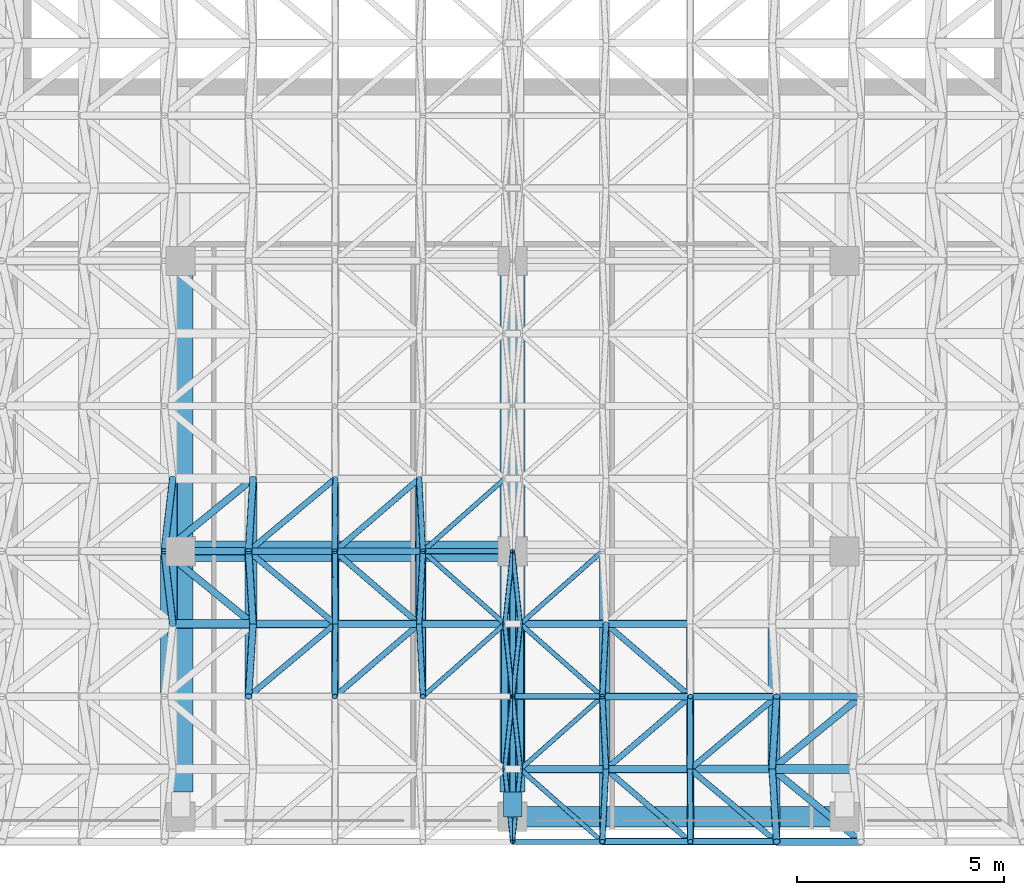
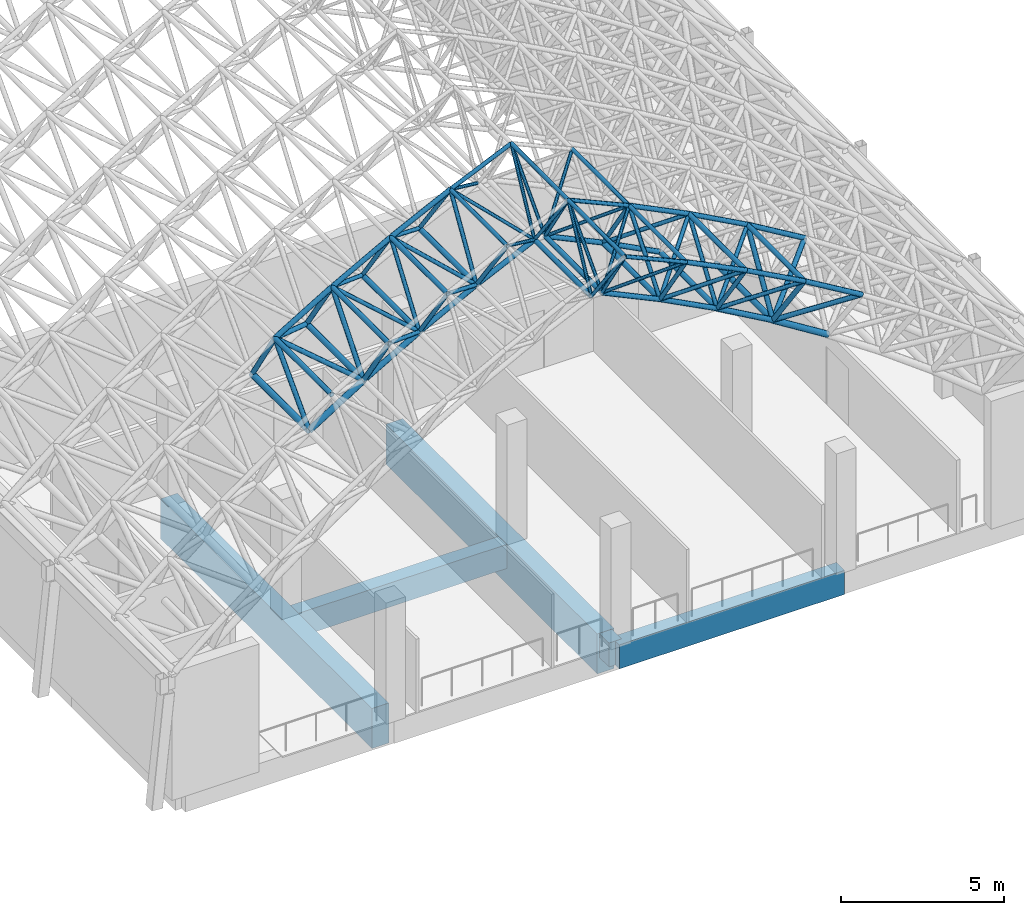
# One storey, part 40 of 141: 89 members, 5 beams.
"""IFC4 building model written with IfcOpenShell, lengths in metres."""

from ifc_helpers import new_model, si_unit, direction, frame, origin, origin_2d, place, context, subcontext, project, spatial, rectangle, hollow_circle, extrude, material, material_profile, profile_set, type_object, element, save


model = new_model("IFC4")

# Units and contexts
model_context = context("Model", 3, precision=1e-05, world=origin(), true_north=direction((0.0, 1.0)))
body_context = subcontext(model_context, "Body", "Model", "MODEL_VIEW")
ifc_project = project(units=[si_unit("LENGTHUNIT", "METRE"), si_unit("AREAUNIT", "SQUARE_METRE"), si_unit("VOLUMEUNIT", "CUBIC_METRE"), si_unit("PLANEANGLEUNIT", "RADIAN"), si_unit("MASSUNIT", "GRAM", prefix="KILO")], contexts=[model_context])

# Site, building, storey
site_placement = place(None, origin())
site = spatial("IfcSite", under=ifc_project, at=site_placement, CompositionType="ELEMENT")
building_placement = place(site_placement, origin())
building = spatial("IfcBuilding", under=site, at=building_placement, Name="Lantern Court Media Centre", CompositionType="ELEMENT")
storey_placement = place(building_placement, frame((0.0, 0.0, 9.60009765625)))
storey = spatial("IfcBuildingStorey", under=building, at=storey_placement, Name="L02", CompositionType="ELEMENT", Elevation=9.60009765625)

# Beams
ifc_material_1 = material(Name="Concrete C35", Category="concrete")
ifc_material_profile_1 = material_profile(ifc_material_1, rectangle(XDim=0.449951171875, YDim=0.89990234375, at=origin_2d()), Name="RC 450x900")
ifc_profile_set_1 = profile_set([ifc_material_profile_1], Name="Concrete C35")
beam_type_1 = type_object("IfcBeamType", Name="RC BEAM 450x900", PredefinedType="BEAM", material=ifc_profile_set_1)
beam_placement = place(storey_placement, frame((88.0, -1.39990234375, -0.4501953125), z_axis=(0.0, 1.0, 0.0), x_axis=(-1.0, 0.0, 0.0)))
element("IfcBeam", 1, at=beam_placement, inside=storey, type_object=beam_type_1, Name="HB-V2-L02-FY2-0", PredefinedType="BEAM", context=body_context, shape_type="SweptSolid", body=[
    extrude(rectangle(XDim=0.449951171875, YDim=0.89990234375, at=origin_2d()), origin(), (0.0, 0.0, 1.0), 0.599853515625),
])
ifc_material_profile_2 = material_profile(ifc_material_1, rectangle(XDim=0.5, YDim=0.89990234375, at=origin_2d()), Name="RC 500x900")
ifc_profile_set_2 = profile_set([ifc_material_profile_2], Name="Concrete C35")
beam_type_2 = type_object("IfcBeamType", Name="RC BEAM 500x900", PredefinedType="BEAM", material=ifc_profile_set_2)
for number, where, z_axis, x_axis, name in (
    (2, (88.0, -1.39990234375, -0.4501953125), (1.0, 0.0, 0.0), (0.0, 1.0, 0.0), "HB-V2-L02-FX0-2"),
    (3, (80.0, 5.0, -0.4501953125), (1.0, 0.0, 0.0), (0.0, 1.0, 0.0), "HB-V2-L02-FX1-1"),
):
    element("IfcBeam", number, at=place(storey_placement, frame(where, z_axis=z_axis, x_axis=x_axis)), inside=storey, type_object=beam_type_2, Name=name, PredefinedType="BEAM", context=body_context, shape_type="SweptSolid", body=[
        extrude(rectangle(XDim=0.5, YDim=0.89990234375, at=origin_2d()), origin(), (0.0, 0.0, 1.0), 8.0),
    ])
ifc_material_profile_3 = material_profile(ifc_material_1, rectangle(XDim=0.60009765625, YDim=1.5, at=origin_2d()), Name="RC 600x1500")
ifc_profile_set_3 = profile_set([ifc_material_profile_3], Name="Concrete C35")
beam_type_3 = type_object("IfcBeamType", Name="RC BEAM 600x1500", PredefinedType="BEAM", material=ifc_profile_set_3)
for number, where, z_axis, x_axis, name in (
    (4, (80.0, -0.800048828125, -0.75), (0.0, 1.0, 0.0), (-1.0, 0.0, 0.0), "TR-V2-L02-11"),
    (5, (88.0, -0.800048828125, -0.75), (0.0, 1.0, 0.0), (-1.0, 0.0, 0.0), "TR-V2-L02-21"),
):
    element("IfcBeam", number, at=place(storey_placement, frame(where, z_axis=z_axis, x_axis=x_axis)), inside=storey, type_object=beam_type_3, Name=name, PredefinedType="BEAM", context=body_context, shape_type="SweptSolid", body=[
        extrude(rectangle(XDim=0.60009765625, YDim=1.5, at=origin_2d()), origin(), (0.0, 0.0, 1.0), 13.0),
    ])

# Members
ifc_material_2 = material(Name="Steel S355J2 (EN 10025-2)", Category="steel")
ifc_material_profile_4 = material_profile(ifc_material_2, hollow_circle(Radius=0.084228515625, WallThickness=0.00634765625, at=origin_2d()), Name="Studio Hall bottom CHS 168.3x6.3")
ifc_profile_set_4 = profile_set([ifc_material_profile_4], Name="Steel S355J2 (EN 10025-2)")
member_type_1 = type_object("IfcMemberType", Name="Studio Hall bottom CHS 168.3x6.3", PredefinedType="CHORD", material=ifc_profile_set_4)
for number, where, z_axis, x_axis, name in (
    (6, (87.812255859375, -0.25, 12.31884765625), (0.0, 1.0, 0.0), (-1.0, 0.0, 0.0), "Studio Hall bottom chord 08-01"),
    (7, (88.187744140625, -0.25, 12.31884765625), (0.0, 1.0, 0.0), (-1.0, 0.0, 0.0), "Studio Hall bottom chord 09-01"),
):
    element("IfcMember", number, at=place(storey_placement, frame(where, z_axis=z_axis, x_axis=x_axis)), inside=storey, type_object=member_type_1, Name=name, PredefinedType="CHORD", context=body_context, shape_type="SweptSolid", body=[
        extrude(hollow_circle(Radius=0.084228515625, WallThickness=0.00634765625, at=origin_2d()), origin(), (0.0, 0.0, 1.0), 3.5),
    ])
ifc_material_profile_5 = material_profile(ifc_material_2, hollow_circle(Radius=0.0888671875, WallThickness=0.008056640625, at=origin_2d()), Name="Studio Hall bottom CHS 177.8x8")
ifc_profile_set_5 = profile_set([ifc_material_profile_5], Name="Steel S355J2 (EN 10025-2)")
member_type_2 = type_object("IfcMemberType", Name="Studio Hall bottom CHS 177.8x8", PredefinedType="CHORD", material=ifc_profile_set_5)
for number, where, z_axis, x_axis, name in (
    (8, (90.251708984375, -0.25, 11.3466796875), (0.0, 1.0, 0.0), (-1.0, 0.0, 0.0), "Studio Hall bottom chord 10-01"),
    (9, (92.275634765625, -0.25, 10.2939453125), (0.0, 1.0, 0.0), (-1.0, 0.0, 0.0), "Studio Hall bottom chord 11-01"),
    (10, (83.724365234375, 3.25, 10.2939453125), (0.0, 1.0, 0.0), (-1.0, 0.0, 0.0), "Studio Hall bottom chord 06-02"),
    (11, (85.748291015625, 3.25, 11.3466796875), (0.0, 1.0, 0.0), (-1.0, 0.0, 0.0), "Studio Hall bottom chord 07-02"),
):
    element("IfcMember", number, at=place(storey_placement, frame(where, z_axis=z_axis, x_axis=x_axis)), inside=storey, type_object=member_type_2, Name=name, PredefinedType="CHORD", context=body_context, shape_type="SweptSolid", body=[
        extrude(hollow_circle(Radius=0.0888671875, WallThickness=0.008056640625, at=origin_2d()), origin(), (0.0, 0.0, 1.0), 3.5),
    ])
member_1_placement = place(storey_placement, frame((88.187744140625, -0.25, 12.31884765625), z_axis=(0.904668285171, 0.0, -0.426116526088), x_axis=(0.0, 1.0, 0.0)))
element("IfcMember", 12, at=member_1_placement, inside=storey, type_object=member_type_2, Name="Studio Hall bottom chord 09-01 across", PredefinedType="CHORD", context=body_context, shape_type="SweptSolid", body=[
    extrude(hollow_circle(Radius=0.0888671875, WallThickness=0.008056640625, at=origin_2d()), origin(), (0.0, 0.0, 1.0), 2.281494140625),
])
for number, where, z_axis, x_axis, name in (
    (13, (90.251708984375, -0.25, 11.3466796875), (0.887164230848, 0.0, -0.461453819471), (0.0, 1.0, 0.0), "Studio Hall bottom chord 10-01 across"),
    (14, (83.724365234375, 3.25, 10.2939453125), (0.887164230848, 0.0, 0.461453819471), (0.0, 1.0, 0.0), "Studio Hall bottom chord 06-02 across"),
):
    element("IfcMember", number, at=place(storey_placement, frame(where, z_axis=z_axis, x_axis=x_axis)), inside=storey, type_object=member_type_2, Name=name, PredefinedType="CHORD", context=body_context, shape_type="SweptSolid", body=[
        extrude(hollow_circle(Radius=0.0888671875, WallThickness=0.008056640625, at=origin_2d()), origin(), (0.0, 0.0, 1.0), 2.28125),
    ])
for number, where, z_axis, x_axis, name in (
    (15, (85.748291015625, 3.25, 11.3466796875), (0.904668285171, 0.0, 0.426116526088), (0.0, 1.0, 0.0), "Studio Hall bottom chord 07-02 across"),
    (16, (88.187744140625, 3.25, 12.31884765625), (0.904668285171, 0.0, -0.426116526088), (0.0, 1.0, 0.0), "Studio Hall bottom chord 09-02 across"),
):
    element("IfcMember", number, at=place(storey_placement, frame(where, z_axis=z_axis, x_axis=x_axis)), inside=storey, type_object=member_type_2, Name=name, PredefinedType="CHORD", context=body_context, shape_type="SweptSolid", body=[
        extrude(hollow_circle(Radius=0.0888671875, WallThickness=0.008056640625, at=origin_2d()), origin(), (0.0, 0.0, 1.0), 2.281494140625),
    ])
member_2_placement = place(storey_placement, frame((90.251708984375, 3.25, 11.3466796875), z_axis=(0.887164230848, 0.0, -0.461453819471), x_axis=(0.0, 1.0, 0.0)))
element("IfcMember", 17, at=member_2_placement, inside=storey, type_object=member_type_2, Name="Studio Hall bottom chord 10-02 across", PredefinedType="CHORD", context=body_context, shape_type="SweptSolid", body=[
    extrude(hollow_circle(Radius=0.0888671875, WallThickness=0.008056640625, at=origin_2d()), origin(), (0.0, 0.0, 1.0), 2.28125),
])
ifc_material_profile_6 = material_profile(ifc_material_2, hollow_circle(Radius=0.096923828125, WallThickness=0.008056640625, at=origin_2d()), Name="Studio Hall bottom CHS 193.7x8")
ifc_profile_set_6 = profile_set([ifc_material_profile_6], Name="Steel S355J2 (EN 10025-2)")
member_type_3 = type_object("IfcMemberType", Name="Studio Hall bottom CHS 193.7x8", PredefinedType="CHORD", material=ifc_profile_set_6)
for number, where, z_axis, x_axis, name in (
    (18, (94.25634765625, -0.25, 9.162109375), (0.0, 1.0, 0.0), (-1.0, 0.0, 0.0), "Studio Hall bottom chord 12-01"),
    (19, (81.74365234375, 3.25, 9.162109375), (0.0, 1.0, 0.0), (-1.0, 0.0, 0.0), "Studio Hall bottom chord 05-02"),
):
    element("IfcMember", number, at=place(storey_placement, frame(where, z_axis=z_axis, x_axis=x_axis)), inside=storey, type_object=member_type_3, Name=name, PredefinedType="CHORD", context=body_context, shape_type="SweptSolid", body=[
        extrude(hollow_circle(Radius=0.096923828125, WallThickness=0.008056640625, at=origin_2d()), origin(), (0.0, 0.0, 1.0), 3.5),
    ])
for number, where, z_axis, x_axis, name in (
    (20, (92.275634765625, -0.25, 10.2939453125), (0.868243142124, 0.0, -0.496138938357), (0.0, 1.0, 0.0), "Studio Hall bottom chord 11-01 across"),
    (21, (81.74365234375, 3.25, 9.162109375), (0.868243142124, 0.0, 0.496138938357), (0.0, 1.0, 0.0), "Studio Hall bottom chord 05-02 across"),
):
    element("IfcMember", number, at=place(storey_placement, frame(where, z_axis=z_axis, x_axis=x_axis)), inside=storey, type_object=member_type_3, Name=name, PredefinedType="CHORD", context=body_context, shape_type="SweptSolid", body=[
        extrude(hollow_circle(Radius=0.096923828125, WallThickness=0.008056640625, at=origin_2d()), origin(), (0.0, 0.0, 1.0), 2.28125),
    ])
ifc_material_profile_7 = material_profile(ifc_material_2, hollow_circle(Radius=0.109619140625, WallThickness=0.010009765625, at=origin_2d()), Name="Studio Hall bottom CHS 219.1x10")
ifc_profile_set_7 = profile_set([ifc_material_profile_7], Name="Steel S355J2 (EN 10025-2)")
member_type_4 = type_object("IfcMemberType", Name="Studio Hall bottom CHS 219.1x10", PredefinedType="CHORD", material=ifc_profile_set_7)
member_3_placement = place(storey_placement, frame((79.80908203125, 3.25, 7.953125), z_axis=(0.0, 1.0, 0.0), x_axis=(-1.0, 0.0, 0.0)))
element("IfcMember", 22, at=member_3_placement, inside=storey, type_object=member_type_4, Name="Studio Hall bottom chord 04-02", PredefinedType="CHORD", context=body_context, shape_type="SweptSolid", body=[
    extrude(hollow_circle(Radius=0.109619140625, WallThickness=0.010009765625, at=origin_2d()), origin(), (0.0, 0.0, 1.0), 3.5),
])
for number, where, z_axis, x_axis, name in (
    (23, (94.25634765625, -0.25, 9.162109375), (0.848022352453, 0.0, -0.529960460544), (0.0, 1.0, 0.0), "Studio Hall bottom chord 12-01 across"),
    (24, (79.80908203125, 3.25, 7.953125), (0.848022352453, 0.0, 0.529960460544), (0.0, 1.0, 0.0), "Studio Hall bottom chord 04-02 across"),
):
    element("IfcMember", number, at=place(storey_placement, frame(where, z_axis=z_axis, x_axis=x_axis)), inside=storey, type_object=member_type_4, Name=name, PredefinedType="CHORD", context=body_context, shape_type="SweptSolid", body=[
        extrude(hollow_circle(Radius=0.109619140625, WallThickness=0.010009765625, at=origin_2d()), origin(), (0.0, 0.0, 1.0), 2.28125),
    ])
ifc_material_profile_8 = material_profile(ifc_material_2, hollow_circle(Radius=0.05712890625, WallThickness=0.0048828125, at=origin_2d()), Name="Studio Hall diagonal CHS 114.3x5")
ifc_profile_set_8 = profile_set([ifc_material_profile_8], Name="Steel S355J2 (EN 10025-2)")
member_type_5 = type_object("IfcMemberType", Name="Studio Hall diagonal CHS 114.3x5", PredefinedType="BRACE", material=ifc_profile_set_8)
for number, where, z_axis, x_axis, name in (
    (25, (87.812255859375, -0.25, 12.31884765625), (0.061720233377, -0.575306414621, 0.815605996844), (0.994294451035, 0.106670261279, 0.0), "Studio Hall diagonal 08-01-2"),
    (26, (87.812255859375, -0.25, 12.31884765625), (0.061720233377, 0.575306414621, 0.815605996844), (-0.994294451035, 0.106670261279, 0.0), "Studio Hall diagonal 08-01-3"),
    (27, (88.187744140625, -0.25, 12.31884765625), (-0.061720233377, -0.575306414621, 0.815605996844), (0.994294451035, -0.106670261279, 0.0), "Studio Hall diagonal 09-01-1"),
):
    element("IfcMember", number, at=place(storey_placement, frame(where, z_axis=z_axis, x_axis=x_axis)), inside=storey, type_object=member_type_5, Name=name, PredefinedType="BRACE", context=body_context, shape_type="SweptSolid", body=[
        extrude(hollow_circle(Radius=0.05712890625, WallThickness=0.0048828125, at=origin_2d()), origin(), (0.0, 0.0, 1.0), 3.041748046875),
    ])
for number, where, z_axis, x_axis, name in (
    (28, (88.187744140625, -0.25, 12.31884765625), (0.64897917405, -0.57530085575, 0.497850335967), (0.663352272412, 0.748307264889, 0.0), "Studio Hall diagonal 09-01-2"),
    (29, (88.187744140625, -0.25, 12.31884765625), (0.64897917405, 0.57530085575, 0.497850335967), (-0.663352272412, 0.748307264889, 0.0), "Studio Hall diagonal 09-01-3"),
):
    element("IfcMember", number, at=place(storey_placement, frame(where, z_axis=z_axis, x_axis=x_axis)), inside=storey, type_object=member_type_5, Name=name, PredefinedType="BRACE", context=body_context, shape_type="SweptSolid", body=[
        extrude(hollow_circle(Radius=0.05712890625, WallThickness=0.0048828125, at=origin_2d()), origin(), (0.0, 0.0, 1.0), 3.0419921875),
    ])
member_4_placement = place(storey_placement, frame((88.187744140625, -0.25, 12.31884765625), z_axis=(-0.061720233377, 0.575306414621, 0.815605996844), x_axis=(-0.994294451035, -0.106670261279, 0.0)))
element("IfcMember", 30, at=member_4_placement, inside=storey, type_object=member_type_5, Name="Studio Hall diagonal 09-01-4", PredefinedType="BRACE", context=body_context, shape_type="SweptSolid", body=[
    extrude(hollow_circle(Radius=0.05712890625, WallThickness=0.0048828125, at=origin_2d()), origin(), (0.0, 0.0, 1.0), 3.041748046875),
])
member_5_placement = place(storey_placement, frame((87.812255859375, 3.25, 12.31884765625), z_axis=(-0.64897917405, -0.57530085575, 0.497850335967), x_axis=(0.663352272412, -0.748307264889, 0.0)))
element("IfcMember", 31, at=member_5_placement, inside=storey, type_object=member_type_5, Name="Studio Hall diagonal 08-02-1", PredefinedType="BRACE", context=body_context, shape_type="SweptSolid", body=[
    extrude(hollow_circle(Radius=0.05712890625, WallThickness=0.0048828125, at=origin_2d()), origin(), (0.0, 0.0, 1.0), 3.0419921875),
])
for number, where, z_axis, x_axis, name in (
    (32, (87.812255859375, 3.25, 12.31884765625), (0.061720233377, -0.575306414621, 0.815605996844), (0.994294451035, 0.106670261279, 0.0), "Studio Hall diagonal 08-02-2"),
    (33, (87.812255859375, 3.25, 12.31884765625), (0.061720233377, 0.575306414621, 0.815605996844), (-0.994294451035, 0.106670261279, 0.0), "Studio Hall diagonal 08-02-3"),
):
    element("IfcMember", number, at=place(storey_placement, frame(where, z_axis=z_axis, x_axis=x_axis)), inside=storey, type_object=member_type_5, Name=name, PredefinedType="BRACE", context=body_context, shape_type="SweptSolid", body=[
        extrude(hollow_circle(Radius=0.05712890625, WallThickness=0.0048828125, at=origin_2d()), origin(), (0.0, 0.0, 1.0), 3.041748046875),
    ])
member_6_placement = place(storey_placement, frame((87.812255859375, 3.25, 12.31884765625), z_axis=(-0.64897917405, 0.57530085575, 0.497850335967), x_axis=(-0.663352272412, -0.748307264889, 0.0)))
element("IfcMember", 34, at=member_6_placement, inside=storey, type_object=member_type_5, Name="Studio Hall diagonal 08-02-4", PredefinedType="BRACE", context=body_context, shape_type="SweptSolid", body=[
    extrude(hollow_circle(Radius=0.05712890625, WallThickness=0.0048828125, at=origin_2d()), origin(), (0.0, 0.0, 1.0), 3.0419921875),
])
member_7_placement = place(storey_placement, frame((88.187744140625, 3.25, 12.31884765625), z_axis=(-0.061720233377, -0.575306414621, 0.815605996844), x_axis=(0.994294451035, -0.106670261279, 0.0)))
element("IfcMember", 35, at=member_7_placement, inside=storey, type_object=member_type_5, Name="Studio Hall diagonal 09-02-1", PredefinedType="BRACE", context=body_context, shape_type="SweptSolid", body=[
    extrude(hollow_circle(Radius=0.05712890625, WallThickness=0.0048828125, at=origin_2d()), origin(), (0.0, 0.0, 1.0), 3.041748046875),
])
for number, where, z_axis, x_axis, name in (
    (36, (88.187744140625, 3.25, 12.31884765625), (0.64897917405, -0.57530085575, 0.497850335967), (0.663352272412, 0.748307264889, 0.0), "Studio Hall diagonal 09-02-2"),
    (37, (88.187744140625, 3.25, 12.31884765625), (0.64897917405, 0.57530085575, 0.497850335967), (-0.663352272412, 0.748307264889, 0.0), "Studio Hall diagonal 09-02-3"),
):
    element("IfcMember", number, at=place(storey_placement, frame(where, z_axis=z_axis, x_axis=x_axis)), inside=storey, type_object=member_type_5, Name=name, PredefinedType="BRACE", context=body_context, shape_type="SweptSolid", body=[
        extrude(hollow_circle(Radius=0.05712890625, WallThickness=0.0048828125, at=origin_2d()), origin(), (0.0, 0.0, 1.0), 3.0419921875),
    ])
member_8_placement = place(storey_placement, frame((88.187744140625, 3.25, 12.31884765625), z_axis=(-0.061720233377, 0.575306414621, 0.815605996844), x_axis=(-0.994294451035, -0.106670261279, 0.0)))
element("IfcMember", 38, at=member_8_placement, inside=storey, type_object=member_type_5, Name="Studio Hall diagonal 09-02-4", PredefinedType="BRACE", context=body_context, shape_type="SweptSolid", body=[
    extrude(hollow_circle(Radius=0.05712890625, WallThickness=0.0048828125, at=origin_2d()), origin(), (0.0, 0.0, 1.0), 3.041748046875),
])
member_9_placement = place(storey_placement, frame((87.812255859375, 6.75, 12.31884765625), z_axis=(-0.64897917405, -0.57530085575, 0.497850335967), x_axis=(0.663352272412, -0.748307264889, 0.0)))
element("IfcMember", 39, at=member_9_placement, inside=storey, type_object=member_type_5, Name="Studio Hall diagonal 08-03-1", PredefinedType="BRACE", context=body_context, shape_type="SweptSolid", body=[
    extrude(hollow_circle(Radius=0.05712890625, WallThickness=0.0048828125, at=origin_2d()), origin(), (0.0, 0.0, 1.0), 3.0419921875),
])
ifc_material_profile_9 = material_profile(ifc_material_2, hollow_circle(Radius=0.06982421875, WallThickness=0.00634765625, at=origin_2d()), Name="Studio Hall diagonal CHS 139.7x6.3")
ifc_profile_set_9 = profile_set([ifc_material_profile_9], Name="Steel S355J2 (EN 10025-2)")
member_type_6 = type_object("IfcMemberType", Name="Studio Hall diagonal CHS 139.7x6.3", PredefinedType="BRACE", material=ifc_profile_set_9)
for number, where, z_axis, x_axis, name in (
    (40, (90.251708984375, -0.25, 11.3466796875), (-0.029534674704, -0.575284098581, 0.817420276792), (0.998684738299, -0.051271761118, 0.0), "Studio Hall diagonal 10-01-1"),
    (41, (90.251708984375, -0.25, 11.3466796875), (0.668074997838, -0.575295721349, 0.471922271419), (0.652528943422, 0.757763800927, 0.0), "Studio Hall diagonal 10-01-2"),
    (42, (90.251708984375, -0.25, 11.3466796875), (0.668074997838, 0.575295721349, 0.471922271419), (-0.652528943422, 0.757763800927, 0.0), "Studio Hall diagonal 10-01-3"),
    (43, (90.251708984375, -0.25, 11.3466796875), (-0.029534674704, 0.575284098581, 0.817420276792), (-0.998684738299, -0.051271761118, 0.0), "Studio Hall diagonal 10-01-4"),
    (44, (92.275634765625, -0.25, 10.2939453125), (0.002728673556, -0.575268589684, 0.817960025957), (0.999988750725, 0.004743250213, 0.0), "Studio Hall diagonal 11-01-1"),
    (45, (92.275634765625, -0.25, 10.2939453125), (0.686219606918, -0.575300835367, 0.445119759061), (0.642456097081, 0.76632249303, 0.0), "Studio Hall diagonal 11-01-2"),
    (46, (92.275634765625, -0.25, 10.2939453125), (0.686219606918, 0.575300835367, 0.445119759061), (-0.642456097081, 0.76632249303, 0.0), "Studio Hall diagonal 11-01-3"),
    (47, (92.275634765625, -0.25, 10.2939453125), (0.002728673556, 0.575268589684, 0.817960025957), (-0.999988750725, 0.004743250213, 0.0), "Studio Hall diagonal 11-01-4"),
    (48, (83.724365234375, 3.25, 10.2939453125), (-0.686219606918, -0.575300835367, 0.445119759061), (0.642456097081, -0.76632249303, 0.0), "Studio Hall diagonal 06-02-1"),
    (49, (83.724365234375, 3.25, 10.2939453125), (-0.002728673556, -0.575268589684, 0.817960025957), (0.999988750725, -0.004743250213, 0.0), "Studio Hall diagonal 06-02-2"),
    (50, (83.724365234375, 3.25, 10.2939453125), (-0.002728673556, 0.575268589684, 0.817960025957), (-0.999988750725, -0.004743250213, 0.0), "Studio Hall diagonal 06-02-3"),
    (51, (83.724365234375, 3.25, 10.2939453125), (-0.686219606918, 0.575300835367, 0.445119759061), (-0.642456097081, -0.76632249303, 0.0), "Studio Hall diagonal 06-02-4"),
    (52, (85.748291015625, 3.25, 11.3466796875), (-0.668074997838, -0.575295721349, 0.471922271419), (0.652528943422, -0.757763800927, 0.0), "Studio Hall diagonal 07-02-1"),
    (53, (85.748291015625, 3.25, 11.3466796875), (0.029534674704, -0.575284098581, 0.817420276792), (0.998684738299, 0.051271761118, 0.0), "Studio Hall diagonal 07-02-2"),
    (54, (85.748291015625, 3.25, 11.3466796875), (0.029534674704, 0.575284098581, 0.817420276792), (-0.998684738299, 0.051271761118, 0.0), "Studio Hall diagonal 07-02-3"),
    (55, (85.748291015625, 3.25, 11.3466796875), (-0.668074997838, 0.575295721349, 0.471922271419), (-0.652528943422, -0.757763800927, 0.0), "Studio Hall diagonal 07-02-4"),
    (56, (90.251708984375, 3.25, 11.3466796875), (-0.029534674704, -0.575284098581, 0.817420276792), (0.998684738299, -0.051271761118, 0.0), "Studio Hall diagonal 10-02-1"),
    (57, (90.251708984375, 3.25, 11.3466796875), (0.668074997838, -0.575295721349, 0.471922271419), (0.652528943422, 0.757763800927, 0.0), "Studio Hall diagonal 10-02-2"),
    (58, (83.724365234375, 6.75, 10.2939453125), (-0.686219606918, -0.575300835367, 0.445119759061), (0.642456097081, -0.76632249303, 0.0), "Studio Hall diagonal 06-03-1"),
    (59, (83.724365234375, 6.75, 10.2939453125), (-0.002728673556, -0.575268589684, 0.817960025957), (0.999988750725, -0.004743250213, 0.0), "Studio Hall diagonal 06-03-2"),
    (60, (85.748291015625, 6.75, 11.3466796875), (-0.668074997838, -0.575295721349, 0.471922271419), (0.652528943422, -0.757763800927, 0.0), "Studio Hall diagonal 07-03-1"),
    (61, (85.748291015625, 6.75, 11.3466796875), (0.029534674704, -0.575284098581, 0.817420276792), (0.998684738299, 0.051271761118, 0.0), "Studio Hall diagonal 07-03-2"),
):
    element("IfcMember", number, at=place(storey_placement, frame(where, z_axis=z_axis, x_axis=x_axis)), inside=storey, type_object=member_type_6, Name=name, PredefinedType="BRACE", context=body_context, shape_type="SweptSolid", body=[
        extrude(hollow_circle(Radius=0.06982421875, WallThickness=0.00634765625, at=origin_2d()), origin(), (0.0, 0.0, 1.0), 3.0419921875),
    ])
ifc_material_profile_10 = material_profile(ifc_material_2, hollow_circle(Radius=0.084228515625, WallThickness=0.00634765625, at=origin_2d()), Name="Studio Hall diagonal CHS 168.3x6.3")
ifc_profile_set_10 = profile_set([ifc_material_profile_10], Name="Steel S355J2 (EN 10025-2)")
member_type_7 = type_object("IfcMemberType", Name="Studio Hall diagonal CHS 168.3x6.3", PredefinedType="BRACE", material=ifc_profile_set_10)
for number, where, z_axis, x_axis, name in (
    (62, (94.25634765625, -0.25, 9.162109375), (0.035073053804, -0.575294392838, 0.817194127773), (0.99814677432, 0.060852419138, 0.0), "Studio Hall diagonal 12-01-1"),
    (63, (94.25634765625, -0.25, 9.162109375), (0.703225463004, -0.575293325589, 0.417745781207), (0.633189685482, 0.77399665516, 0.0), "Studio Hall diagonal 12-01-2"),
    (64, (94.25634765625, -0.25, 9.162109375), (0.703225463004, 0.575293325589, 0.417745781207), (-0.633189685482, 0.77399665516, 0.0), "Studio Hall diagonal 12-01-3"),
    (65, (94.25634765625, -0.25, 9.162109375), (0.035073053804, 0.575294392838, 0.817194127773), (-0.99814677432, 0.060852419138, 0.0), "Studio Hall diagonal 12-01-4"),
    (66, (81.74365234375, 3.25, 9.162109375), (-0.035073053804, -0.575294392838, 0.817194127773), (0.99814677432, -0.060852419138, 0.0), "Studio Hall diagonal 05-02-2"),
    (67, (81.74365234375, 3.25, 9.162109375), (-0.035073053804, 0.575294392838, 0.817194127773), (-0.99814677432, -0.060852419138, 0.0), "Studio Hall diagonal 05-02-3"),
    (68, (81.74365234375, 3.25, 9.162109375), (-0.703225463004, 0.575293325589, 0.417745781207), (-0.633189685482, -0.77399665516, 0.0), "Studio Hall diagonal 05-02-4"),
    (69, (81.74365234375, 6.75, 9.162109375), (-0.703225463004, -0.575293325589, 0.417745781207), (0.633189685482, -0.77399665516, 0.0), "Studio Hall diagonal 05-03-1"),
    (70, (81.74365234375, 6.75, 9.162109375), (-0.035073053804, -0.575294392838, 0.817194127773), (0.99814677432, -0.060852419138, 0.0), "Studio Hall diagonal 05-03-2"),
):
    element("IfcMember", number, at=place(storey_placement, frame(where, z_axis=z_axis, x_axis=x_axis)), inside=storey, type_object=member_type_7, Name=name, PredefinedType="BRACE", context=body_context, shape_type="SweptSolid", body=[
        extrude(hollow_circle(Radius=0.084228515625, WallThickness=0.00634765625, at=origin_2d()), origin(), (0.0, 0.0, 1.0), 3.0419921875),
    ])
ifc_material_profile_11 = material_profile(ifc_material_2, hollow_circle(Radius=0.084228515625, WallThickness=0.008056640625, at=origin_2d()), Name="Studio Hall diagonal CHS 168.3x8")
ifc_profile_set_11 = profile_set([ifc_material_profile_11], Name="Steel S355J2 (EN 10025-2)")
member_type_8 = type_object("IfcMemberType", Name="Studio Hall diagonal CHS 168.3x8", PredefinedType="BRACE", material=ifc_profile_set_11)
for number, where, z_axis, x_axis, name in (
    (71, (79.80908203125, 3.25, 7.953125), (-0.067256187735, 0.575289204878, 0.815180308865), (-0.993235466132, -0.116117650756, 0.0), "Studio Hall diagonal 04-02-3"),
    (72, (79.80908203125, 6.75, 7.953125), (-0.067256187735, -0.575289204878, 0.815180308865), (0.993235466132, -0.116117650756, 0.0), "Studio Hall diagonal 04-03-2"),
):
    element("IfcMember", number, at=place(storey_placement, frame(where, z_axis=z_axis, x_axis=x_axis)), inside=storey, type_object=member_type_8, Name=name, PredefinedType="BRACE", context=body_context, shape_type="SweptSolid", body=[
        extrude(hollow_circle(Radius=0.084228515625, WallThickness=0.008056640625, at=origin_2d()), origin(), (0.0, 0.0, 1.0), 3.0419921875),
    ])
ifc_material_profile_12 = material_profile(ifc_material_2, hollow_circle(Radius=0.06982421875, WallThickness=0.00634765625, at=origin_2d()), Name="Studio Hall top CHS 139.7x6.3")
ifc_profile_set_12 = profile_set([ifc_material_profile_12], Name="Steel S355J2 (EN 10025-2)")
member_type_9 = type_object("IfcMemberType", Name="Studio Hall top CHS 139.7x6.3", PredefinedType="CHORD", material=ifc_profile_set_12)
for number, where, z_axis, x_axis, name in (
    (73, (88.0, -2.0, 14.7998046875), (0.0, 1.0, 0.0), (-1.0, 0.0, 0.0), "Studio Hall top chord 09-01"),
    (74, (90.161865234375, -2.0, 13.833251953125), (0.0, 1.0, 0.0), (-1.0, 0.0, 0.0), "Studio Hall top chord 10-01"),
    (75, (85.838134765625, 1.5, 13.833251953125), (0.0, 1.0, 0.0), (-1.0, 0.0, 0.0), "Studio Hall top chord 08-02"),
    (76, (88.0, 1.5, 14.7998046875), (0.0, 1.0, 0.0), (-1.0, 0.0, 0.0), "Studio Hall top chord 09-02"),
    (77, (90.161865234375, 1.5, 13.833251953125), (0.0, 1.0, 0.0), (-1.0, 0.0, 0.0), "Studio Hall top chord 10-02"),
):
    element("IfcMember", number, at=place(storey_placement, frame(where, z_axis=z_axis, x_axis=x_axis)), inside=storey, type_object=member_type_9, Name=name, PredefinedType="CHORD", context=body_context, shape_type="SweptSolid", body=[
        extrude(hollow_circle(Radius=0.06982421875, WallThickness=0.00634765625, at=origin_2d()), origin(), (0.0, 0.0, 1.0), 3.5),
    ])
for number, where, z_axis, x_axis, name in (
    (78, (88.0, -2.0, 14.7998046875), (0.912912280931, 0.0, -0.408155812559), (0.0, 1.0, 0.0), "Studio Hall top chord 09-01 across"),
    (79, (88.0, 1.5, 14.7998046875), (0.912912280931, 0.0, -0.408155812559), (0.0, 1.0, 0.0), "Studio Hall top chord 09-02 across"),
    (80, (85.838134765625, 5.0, 13.833251953125), (0.912912280931, 0.0, 0.408155812559), (0.0, 1.0, 0.0), "Studio Hall top chord 08-03 across"),
):
    element("IfcMember", number, at=place(storey_placement, frame(where, z_axis=z_axis, x_axis=x_axis)), inside=storey, type_object=member_type_9, Name=name, PredefinedType="CHORD", context=body_context, shape_type="SweptSolid", body=[
        extrude(hollow_circle(Radius=0.06982421875, WallThickness=0.00634765625, at=origin_2d()), origin(), (0.0, 0.0, 1.0), 2.3681640625),
    ])
ifc_material_profile_13 = material_profile(ifc_material_2, hollow_circle(Radius=0.084228515625, WallThickness=0.00634765625, at=origin_2d()), Name="Studio Hall top CHS 168.3x6.3")
ifc_profile_set_13 = profile_set([ifc_material_profile_13], Name="Steel S355J2 (EN 10025-2)")
member_type_10 = type_object("IfcMemberType", Name="Studio Hall top CHS 168.3x6.3", PredefinedType="CHORD", material=ifc_profile_set_13)
for number, where, z_axis, x_axis, name in (
    (81, (92.283935546875, -2.0, 12.7822265625), (0.0, 1.0, 0.0), (-1.0, 0.0, 0.0), "Studio Hall top chord 11-01"),
    (82, (94.363037109375, -2.0, 11.64794921875), (0.0, 1.0, 0.0), (-1.0, 0.0, 0.0), "Studio Hall top chord 12-01"),
    (83, (81.636962890625, 1.5, 11.64794921875), (0.0, 1.0, 0.0), (-1.0, 0.0, 0.0), "Studio Hall top chord 06-02"),
    (84, (83.716064453125, 1.5, 12.7822265625), (0.0, 1.0, 0.0), (-1.0, 0.0, 0.0), "Studio Hall top chord 07-02"),
):
    element("IfcMember", number, at=place(storey_placement, frame(where, z_axis=z_axis, x_axis=x_axis)), inside=storey, type_object=member_type_10, Name=name, PredefinedType="CHORD", context=body_context, shape_type="SweptSolid", body=[
        extrude(hollow_circle(Radius=0.084228515625, WallThickness=0.00634765625, at=origin_2d()), origin(), (0.0, 0.0, 1.0), 3.5),
    ])
member_10_placement = place(storey_placement, frame((90.161865234375, -2.0, 13.833251953125), z_axis=(0.89611157523, 0.0, -0.443828846222), x_axis=(0.0, 1.0, 0.0)))
element("IfcMember", 85, at=member_10_placement, inside=storey, type_object=member_type_10, Name="Studio Hall top chord 10-01 across", PredefinedType="CHORD", context=body_context, shape_type="SweptSolid", body=[
    extrude(hollow_circle(Radius=0.084228515625, WallThickness=0.00634765625, at=origin_2d()), origin(), (0.0, 0.0, 1.0), 2.3681640625),
])
member_11_placement = place(storey_placement, frame((92.283935546875, -2.0, 12.7822265625), z_axis=(0.877856175106, 0.0, -0.478924352929), x_axis=(0.0, 1.0, 0.0)))
element("IfcMember", 86, at=member_11_placement, inside=storey, type_object=member_type_10, Name="Studio Hall top chord 11-01 across", PredefinedType="CHORD", context=body_context, shape_type="SweptSolid", body=[
    extrude(hollow_circle(Radius=0.084228515625, WallThickness=0.00634765625, at=origin_2d()), origin(), (0.0, 0.0, 1.0), 2.368408203125),
])
member_12_placement = place(storey_placement, frame((90.161865234375, 1.5, 13.833251953125), z_axis=(0.89611157523, 0.0, -0.443828846222), x_axis=(0.0, 1.0, 0.0)))
element("IfcMember", 87, at=member_12_placement, inside=storey, type_object=member_type_10, Name="Studio Hall top chord 10-02 across", PredefinedType="CHORD", context=body_context, shape_type="SweptSolid", body=[
    extrude(hollow_circle(Radius=0.084228515625, WallThickness=0.00634765625, at=origin_2d()), origin(), (0.0, 0.0, 1.0), 2.3681640625),
])
for number, where, z_axis, x_axis, name in (
    (88, (92.283935546875, 1.5, 12.7822265625), (0.877856175106, 0.0, -0.478924352929), (0.0, 1.0, 0.0), "Studio Hall top chord 11-02 across"),
    (89, (81.636962890625, 5.0, 11.64794921875), (0.877856175106, 0.0, 0.478924352929), (0.0, 1.0, 0.0), "Studio Hall top chord 06-03 across"),
):
    element("IfcMember", number, at=place(storey_placement, frame(where, z_axis=z_axis, x_axis=x_axis)), inside=storey, type_object=member_type_10, Name=name, PredefinedType="CHORD", context=body_context, shape_type="SweptSolid", body=[
        extrude(hollow_circle(Radius=0.084228515625, WallThickness=0.00634765625, at=origin_2d()), origin(), (0.0, 0.0, 1.0), 2.368408203125),
    ])
member_13_placement = place(storey_placement, frame((83.716064453125, 5.0, 12.7822265625), z_axis=(0.89611157523, 0.0, 0.443828846222), x_axis=(0.0, 1.0, 0.0)))
element("IfcMember", 90, at=member_13_placement, inside=storey, type_object=member_type_10, Name="Studio Hall top chord 07-03 across", PredefinedType="CHORD", context=body_context, shape_type="SweptSolid", body=[
    extrude(hollow_circle(Radius=0.084228515625, WallThickness=0.00634765625, at=origin_2d()), origin(), (0.0, 0.0, 1.0), 2.3681640625),
])
ifc_material_profile_14 = material_profile(ifc_material_2, hollow_circle(Radius=0.0888671875, WallThickness=0.008056640625, at=origin_2d()), Name="Studio Hall top CHS 177.8x8")
ifc_profile_set_14 = profile_set([ifc_material_profile_14], Name="Steel S355J2 (EN 10025-2)")
member_type_11 = type_object("IfcMemberType", Name="Studio Hall top CHS 177.8x8", PredefinedType="CHORD", material=ifc_profile_set_14)
member_14_placement = place(storey_placement, frame((79.6044921875, 1.5, 10.432861328125), z_axis=(0.0, 1.0, 0.0), x_axis=(-1.0, 0.0, 0.0)))
element("IfcMember", 91, at=member_14_placement, inside=storey, type_object=member_type_11, Name="Studio Hall top chord 05-02", PredefinedType="CHORD", context=body_context, shape_type="SweptSolid", body=[
    extrude(hollow_circle(Radius=0.0888671875, WallThickness=0.008056640625, at=origin_2d()), origin(), (0.0, 0.0, 1.0), 3.5),
])
for number, where, z_axis, x_axis, name in (
    (92, (94.363037109375, -2.0, 11.64794921875), (0.858310578199, 0.0, -0.513130540264), (0.0, 1.0, 0.0), "Studio Hall top chord 12-01 across"),
    (93, (94.363037109375, 1.5, 11.64794921875), (0.858310578199, 0.0, -0.513130540264), (0.0, 1.0, 0.0), "Studio Hall top chord 12-02 across"),
    (94, (79.6044921875, 5.0, 10.432861328125), (0.858310578199, 0.0, 0.513130540264), (0.0, 1.0, 0.0), "Studio Hall top chord 05-03 across"),
):
    element("IfcMember", number, at=place(storey_placement, frame(where, z_axis=z_axis, x_axis=x_axis)), inside=storey, type_object=member_type_11, Name=name, PredefinedType="CHORD", context=body_context, shape_type="SweptSolid", body=[
        extrude(hollow_circle(Radius=0.0888671875, WallThickness=0.008056640625, at=origin_2d()), origin(), (0.0, 0.0, 1.0), 2.367919921875),
    ])

save(model, "model.ifc")
